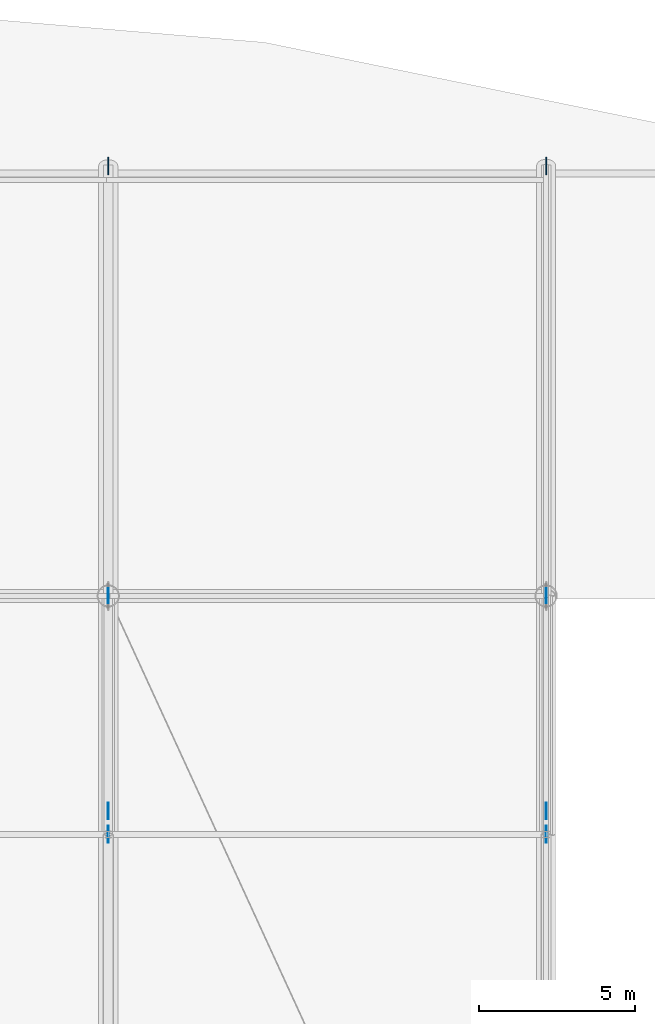
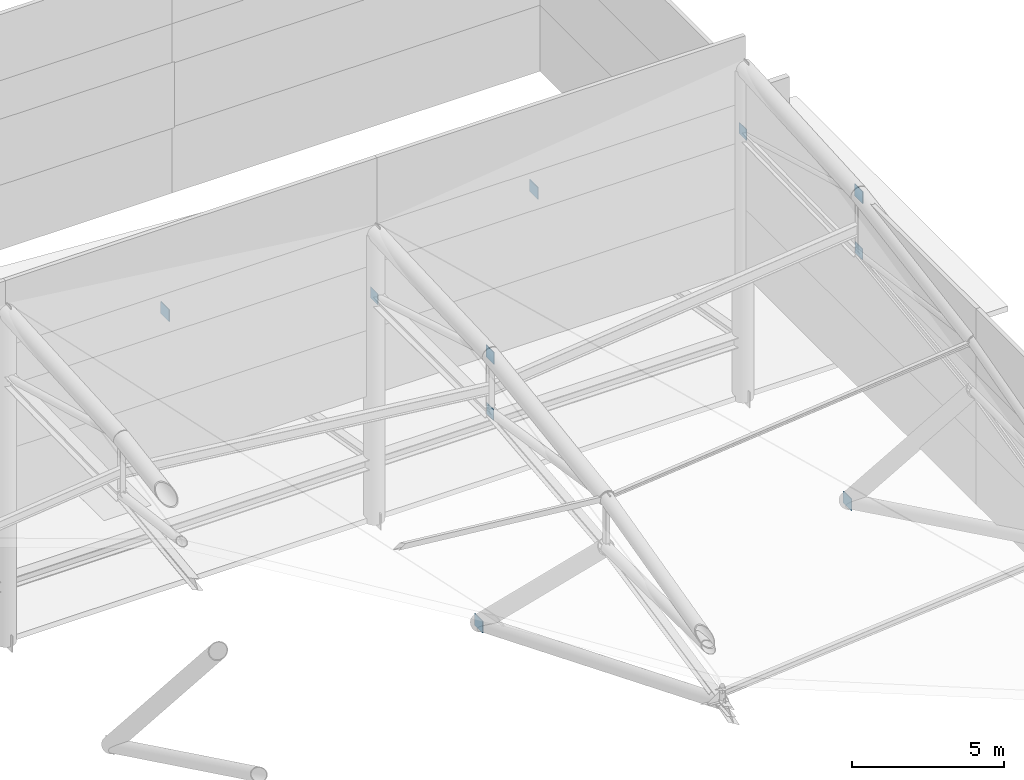
# One storey, part 96 of 113: 10 plates.
"""IFC4 building model written with IfcOpenShell, lengths in metres."""

from ifc_helpers import new_model, si_unit, direction, frame, origin, origin_2d, place, context, subcontext, project, spatial, rectangle, extrude, material, layer, layer_set, type_object, element, save


model = new_model("IFC4")

# Units and contexts
model_context = context("Model", 3, precision=1e-05, world=origin(), true_north=direction((0.0, 1.0)))
body_context = subcontext(model_context, "Body", "Model", "MODEL_VIEW")
ifc_project = project(units=[si_unit("LENGTHUNIT", "METRE"), si_unit("AREAUNIT", "SQUARE_METRE"), si_unit("VOLUMEUNIT", "CUBIC_METRE"), si_unit("PLANEANGLEUNIT", "RADIAN"), si_unit("MASSUNIT", "GRAM", prefix="KILO")], contexts=[model_context])

# Site, building, storey
site_placement = place(None, origin())
site = spatial("IfcSite", under=ifc_project, at=site_placement, CompositionType="ELEMENT")
building_placement = place(site_placement, origin())
building = spatial("IfcBuilding", under=site, at=building_placement, Name="Linyun Crest Stadium", CompositionType="ELEMENT")
storey_placement = place(building_placement, frame((0.0, 0.0, 26.39990234375)))
storey = spatial("IfcBuildingStorey", under=building, at=storey_placement, Name="L06", CompositionType="ELEMENT", Elevation=26.39990234375)

# Plates
ifc_material_1 = material(Name="Steel Q355C", Category="steel")
ifc_layer_1 = layer(ifc_material_1, 0.02392578125)
ifc_layer_set_1 = layer_set([ifc_layer_1], Name="Steel Q355C")
plate_type_1 = type_object("IfcPlateType", Name="NP01", PredefinedType="USERDEFINED", material=ifc_layer_set_1)
for number, where, z_axis, x_axis, name in (
    (1, (14.0, 91.5, 8.530029296875), (0.0, 0.0, 1.0), (0.0, 1.0, 0.0), "Roof bottom-chord node gusset plate NP01 255"),
    (2, (14.0, 83.875, 8.51611328125), (0.0, 0.0, 1.0), (0.0, 1.0, 0.0), "Roof bottom-chord node gusset plate NP01 256"),
    (3, (28.0, 91.5, 10.230224609375), (0.0, 0.0, 1.0), (0.0, 1.0, 0.0), "Roof bottom-chord node gusset plate NP01 268"),
    (4, (28.0, 83.875, 10.068115234375), (0.0, 0.0, 1.0), (0.0, 1.0, 0.0), "Roof bottom-chord node gusset plate NP01 269"),
):
    element("IfcPlate", number, at=place(storey_placement, frame(where, z_axis=z_axis, x_axis=x_axis)), inside=storey, type_object=plate_type_1, Name=name, ObjectType="GUSSET PLATE", PredefinedType="USERDEFINED", context=body_context, shape_type="SweptSolid", body=[
        extrude(rectangle(XDim=0.47998046875, YDim=0.02392578125, at=origin_2d()), origin(), (0.0, 0.0, 1.0), 0.43994140625),
    ])
ifc_material_2 = material(Name="Steel Q420C", Category="steel")
ifc_layer_2 = layer(ifc_material_2, 0.028076171875)
ifc_layer_set_2 = layer_set([ifc_layer_2], Name="Steel Q420C")
plate_type_2 = type_object("IfcPlateType", Name="NP02", PredefinedType="USERDEFINED", material=ifc_layer_set_2)
for number, where, z_axis, x_axis, name in (
    (5, (14.0, 83.875, 10.7841796875), (0.0, 0.0, 1.0), (0.0, 1.0, 0.0), "Roof truss node gusset plate NP02 250"),
    (6, (14.0, 84.625, -0.454833984375), (0.0, 0.0, 1.0), (0.0, 1.0, 0.0), "Roof V-strut base gusset plate NP02 260"),
    (7, (28.0, 83.875, 12.336181640625), (0.0, 0.0, 1.0), (0.0, 1.0, 0.0), "Roof truss node gusset plate NP02 263"),
    (8, (28.0, 84.625, -0.454833984375), (0.0, 0.0, 1.0), (0.0, 1.0, 0.0), "Roof V-strut base gusset plate NP02 273"),
):
    element("IfcPlate", number, at=place(storey_placement, frame(where, z_axis=z_axis, x_axis=x_axis)), inside=storey, type_object=plate_type_2, Name=name, ObjectType="GUSSET PLATE", PredefinedType="USERDEFINED", context=body_context, shape_type="SweptSolid", body=[
        extrude(rectangle(XDim=0.5400390625, YDim=0.028076171875, at=origin_2d()), origin(), (0.0, 0.0, 1.0), 0.47998046875),
    ])
ifc_material_3 = material(Name="Steel Q420C", Category="steel")
ifc_layer_3 = layer(ifc_material_3, 0.031982421875)
ifc_layer_set_3 = layer_set([ifc_layer_3], Name="Steel Q420C")
plate_type_3 = type_object("IfcPlateType", Name="NP03", PredefinedType="USERDEFINED", material=ifc_layer_set_3)
for number, where, z_axis, x_axis, name in (
    (9, (14.0, 105.25, -0.454833984375), (0.0, 0.0, 1.0), (0.0, 1.0, 0.0), "Roof back-stay anchor gusset plate NP03 254"),
    (10, (28.0, 105.25, -0.454833984375), (0.0, 0.0, 1.0), (0.0, 1.0, 0.0), "Roof back-stay anchor gusset plate NP03 267"),
):
    element("IfcPlate", number, at=place(storey_placement, frame(where, z_axis=z_axis, x_axis=x_axis)), inside=storey, type_object=plate_type_3, Name=name, ObjectType="GUSSET PLATE", PredefinedType="USERDEFINED", context=body_context, shape_type="SweptSolid", body=[
        extrude(rectangle(XDim=0.56005859375, YDim=0.031982421875, at=origin_2d()), origin(), (0.0, 0.0, 1.0), 0.47998046875),
    ])

save(model, "model.ifc")
